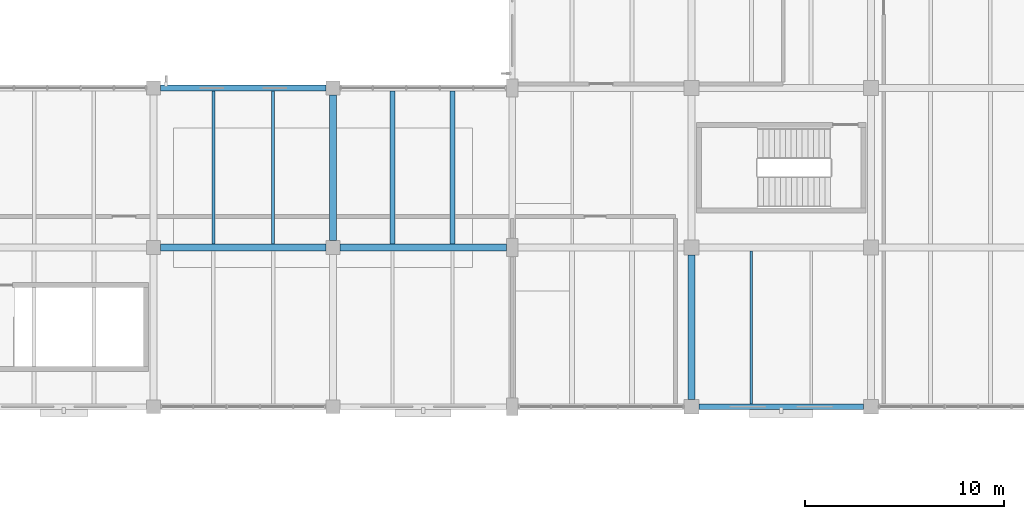
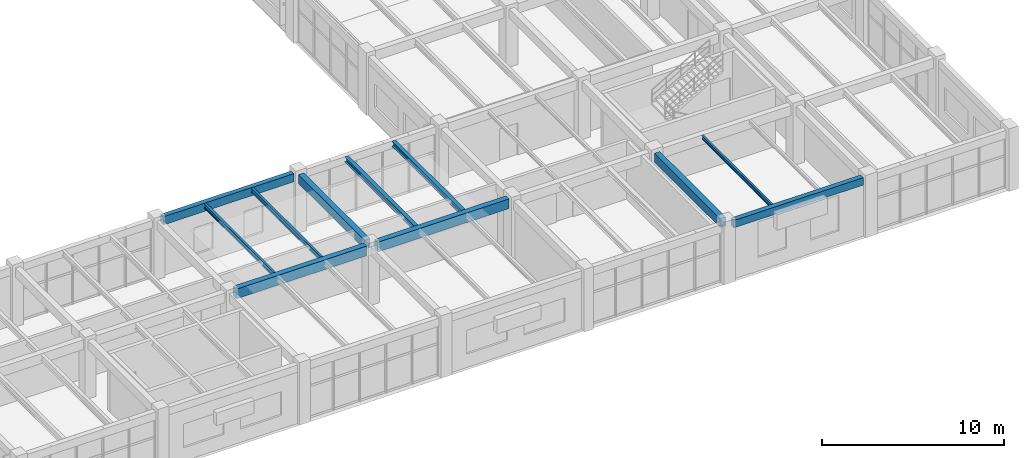
# One storey, part 68 of 128: 11 beams.
"""IFC4 building model written with IfcOpenShell, lengths in metres."""

from ifc_helpers import new_model, si_unit, derived_unit, direction, frame, origin, origin_2d, place, context, subcontext, project, spatial, rectangle, i_section, extrude, material, material_profile, profile_set, type_object, element, save


model = new_model("IFC4")

# Units and contexts
model_context = context("Model", 3, precision=1e-05, world=origin(), true_north=direction((0.0, 1.0)))
body_context = subcontext(model_context, "Body", "Model", "MODEL_VIEW")
ifc_project = project(units=[si_unit("LENGTHUNIT", "METRE"), si_unit("AREAUNIT", "SQUARE_METRE"), si_unit("VOLUMEUNIT", "CUBIC_METRE"), si_unit("PLANEANGLEUNIT", "RADIAN"), si_unit("MASSUNIT", "GRAM", prefix="KILO"), derived_unit("THERMALTRANSMITTANCEUNIT", [(si_unit("MASSUNIT", "GRAM", prefix="KILO"), 1), (si_unit("TIMEUNIT", "SECOND"), -3), (si_unit("THERMODYNAMICTEMPERATUREUNIT", "KELVIN"), -1)])], contexts=[model_context])

# Site, building, storey
site_placement = place(None, origin())
site = spatial("IfcSite", under=ifc_project, at=site_placement, CompositionType="ELEMENT")
building_placement = place(site_placement, origin())
building = spatial("IfcBuilding", under=site, at=building_placement, Name="Zhenchuan Archway Interchange", CompositionType="ELEMENT")
storey_placement = place(building_placement, frame((0.0, 0.0, 14.39990234375)))
storey = spatial("IfcBuildingStorey", under=building, at=storey_placement, Name="L03", CompositionType="ELEMENT", Elevation=14.39990234375)

# Beams
ifc_material_1 = material(Name="Concrete C40", Category="concrete")
ifc_material_profile_1 = material_profile(ifc_material_1, rectangle(XDim=0.35009765625, YDim=0.60009765625, at=origin_2d()), Name="RC 350x600")
ifc_profile_set_1 = profile_set([ifc_material_profile_1], Name="Concrete C40")
beam_type_1 = type_object("IfcBeamType", Name="BM_RC_350x600", PredefinedType="BEAM", material=ifc_profile_set_1)
beam_1_placement = place(storey_placement, frame((135.0, 16.35009765625, 3.64013671875), z_axis=(0.0, 1.0, 0.0), x_axis=(-1.0, 0.0, 0.0)))
element("IfcBeam", 1, at=beam_1_placement, inside=storey, type_object=beam_type_1, Name="Beam 16:C-D (L03)", PredefinedType="BEAM", context=body_context, shape_type="SweptSolid", body=[
    extrude(rectangle(XDim=0.35009765625, YDim=0.60009765625, at=origin_2d()), origin(), (0.0, 0.0, 1.0), 7.2998046875),
])
beam_2_placement = place(storey_placement, frame((153.0, 8.375, 3.630126953125), z_axis=(0.0, 1.0, 0.0), x_axis=(-1.0, 0.0, 0.0)))
element("IfcBeam", 2, at=beam_2_placement, inside=storey, type_object=beam_type_1, Name="Beam 18:B-C (L03)", PredefinedType="BEAM", context=body_context, shape_type="SweptSolid", body=[
    extrude(rectangle(XDim=0.35009765625, YDim=0.60009765625, at=origin_2d()), origin(), (0.0, 0.0, 1.0), 7.25),
])
ifc_material_profile_2 = material_profile(ifc_material_1, rectangle(XDim=0.35009765625, YDim=0.64990234375, at=origin_2d()), Name="RC 350x650")
ifc_profile_set_2 = profile_set([ifc_material_profile_2], Name="Concrete C40")
beam_type_2 = type_object("IfcBeamType", Name="BM_RC_350x650", PredefinedType="BEAM", material=ifc_profile_set_2)
beam_3_placement = place(storey_placement, frame((126.35009765625, 16.0, 3.614990234375), z_axis=(1.0, 0.0, 0.0), x_axis=(0.0, 1.0, 0.0)))
element("IfcBeam", 3, at=beam_3_placement, inside=storey, type_object=beam_type_2, Name="Beam C:15-16 (L03)", PredefinedType="BEAM", context=body_context, shape_type="SweptSolid", body=[
    extrude(rectangle(XDim=0.35009765625, YDim=0.64990234375, at=origin_2d()), origin(), (0.0, 0.0, 1.0), 8.2998046875),
])
beam_4_placement = place(storey_placement, frame((135.35009765625, 16.0, 3.614990234375), z_axis=(1.0, 0.0, 0.0), x_axis=(0.0, 1.0, 0.0)))
element("IfcBeam", 4, at=beam_4_placement, inside=storey, type_object=beam_type_2, Name="Beam C:16-17 (L03)", PredefinedType="BEAM", context=body_context, shape_type="SweptSolid", body=[
    extrude(rectangle(XDim=0.35009765625, YDim=0.64990234375, at=origin_2d()), origin(), (0.0, 0.0, 1.0), 8.349853515625),
])
ifc_material_2 = material(Name="Steel Q355", Category="steel")
ifc_material_profile_3 = material_profile(ifc_material_2, i_section(OverallWidth=0.25, OverallDepth=0.340087890625, WebThickness=0.009033203125, FlangeThickness=0.013916015625, FilletRadius=0.01806640625, at=origin_2d()), Name="HM 340x250")
ifc_profile_set_3 = profile_set([ifc_material_profile_3], Name="Steel Q355")
beam_type_3 = type_object("IfcBeamType", Name="JST_STL_HM340", PredefinedType="JOIST", material=ifc_profile_set_3)
for number, where, z_axis, x_axis, name in (
    (5, (138.0, 16.175048828125, 3.77001953125), (0.0, 1.0, 0.0), (-1.0, 0.0, 0.0), "Secondary joist 16-17/C-D #1 (L03)"),
    (6, (141.0, 16.175048828125, 3.77001953125), (0.0, 1.0, 0.0), (-1.0, 0.0, 0.0), "Secondary joist 16-17/C-D #2 (L03)"),
):
    element("IfcBeam", number, at=place(storey_placement, frame(where, z_axis=z_axis, x_axis=x_axis)), inside=storey, type_object=beam_type_3, Name=name, PredefinedType="JOIST", context=body_context, shape_type="SweptSolid", body=[
        extrude(i_section(OverallWidth=0.25, OverallDepth=0.340087890625, WebThickness=0.009033203125, FlangeThickness=0.013916015625, FilletRadius=0.01806640625, at=origin_2d()), origin(), (0.0, 0.0, 1.0), 7.675048828125),
    ])
ifc_material_profile_4 = material_profile(ifc_material_2, i_section(OverallWidth=0.125, OverallDepth=0.25, WebThickness=0.006103515625, FlangeThickness=0.009033203125, FilletRadius=0.011962890625, at=origin_2d()), Name="HN 250x125")
ifc_profile_set_4 = profile_set([ifc_material_profile_4], Name="Steel Q355")
beam_type_4 = type_object("IfcBeamType", Name="JST_STL_HN250", PredefinedType="JOIST", material=ifc_profile_set_4)
beam_5_placement = place(storey_placement, frame((156.0, 8.14990234375, 3.80517578125), z_axis=(0.0, 1.0, 0.0), x_axis=(-1.0, 0.0, 0.0)))
element("IfcBeam", 7, at=beam_5_placement, inside=storey, type_object=beam_type_4, Name="Secondary joist 18-19/B-C #1 (L03)", PredefinedType="JOIST", context=body_context, shape_type="SweptSolid", body=[
    extrude(i_section(OverallWidth=0.125, OverallDepth=0.25, WebThickness=0.006103515625, FlangeThickness=0.009033203125, FilletRadius=0.011962890625, at=origin_2d()), origin(), (0.0, 0.0, 1.0), 7.675048828125),
])
ifc_material_profile_5 = material_profile(ifc_material_2, i_section(OverallWidth=0.14990234375, OverallDepth=0.300048828125, WebThickness=0.006591796875, FlangeThickness=0.009033203125, FilletRadius=0.012939453125, at=origin_2d()), Name="HN 300x150")
ifc_profile_set_5 = profile_set([ifc_material_profile_5], Name="Steel Q355")
beam_type_5 = type_object("IfcBeamType", Name="JST_STL_HN300", PredefinedType="JOIST", material=ifc_profile_set_5)
for number, where, z_axis, x_axis, name in (
    (8, (129.0, 16.175048828125, 3.7900390625), (0.0, 1.0, 0.0), (-1.0, 0.0, 0.0), "Secondary joist 15-16/C-D #1 (L03)"),
    (9, (132.0, 16.175048828125, 3.7900390625), (0.0, 1.0, 0.0), (-1.0, 0.0, 0.0), "Secondary joist 15-16/C-D #2 (L03)"),
):
    element("IfcBeam", number, at=place(storey_placement, frame(where, z_axis=z_axis, x_axis=x_axis)), inside=storey, type_object=beam_type_5, Name=name, PredefinedType="JOIST", context=body_context, shape_type="SweptSolid", body=[
        extrude(i_section(OverallWidth=0.14990234375, OverallDepth=0.300048828125, WebThickness=0.006591796875, FlangeThickness=0.009033203125, FilletRadius=0.012939453125, at=origin_2d()), origin(), (0.0, 0.0, 1.0), 7.675048828125),
    ])
ifc_material_profile_6 = material_profile(ifc_material_1, rectangle(XDim=0.300048828125, YDim=0.5, at=origin_2d()), Name="RC 300x500")
ifc_profile_set_6 = profile_set([ifc_material_profile_6], Name="Concrete C40")
beam_type_6 = type_object("IfcBeamType", Name="SP_RC_300x500", PredefinedType="SPANDREL", material=ifc_profile_set_6)
beam_6_placement = place(storey_placement, frame((153.375, 8.0, 3.68017578125), z_axis=(1.0, 0.0, 0.0), x_axis=(0.0, 1.0, 0.0)))
element("IfcBeam", 10, at=beam_6_placement, inside=storey, type_object=beam_type_6, Name="Beam B:18-19 (L03)", PredefinedType="SPANDREL", context=body_context, shape_type="SweptSolid", body=[
    extrude(rectangle(XDim=0.300048828125, YDim=0.5, at=origin_2d()), origin(), (0.0, 0.0, 1.0), 8.25),
])
ifc_material_profile_7 = material_profile(ifc_material_1, rectangle(XDim=0.300048828125, YDim=0.550048828125, at=origin_2d()), Name="RC 300x550")
ifc_profile_set_7 = profile_set([ifc_material_profile_7], Name="Concrete C40")
beam_type_7 = type_object("IfcBeamType", Name="SP_RC_300x550", PredefinedType="SPANDREL", material=ifc_profile_set_7)
beam_7_placement = place(storey_placement, frame((126.35009765625, 24.0, 3.6650390625), z_axis=(1.0, 0.0, 0.0), x_axis=(0.0, 1.0, 0.0)))
element("IfcBeam", 11, at=beam_7_placement, inside=storey, type_object=beam_type_7, Name="Beam D:15-16 (L03)", PredefinedType="SPANDREL", context=body_context, shape_type="SweptSolid", body=[
    extrude(rectangle(XDim=0.300048828125, YDim=0.550048828125, at=origin_2d()), origin(), (0.0, 0.0, 1.0), 8.2998046875),
])

save(model, "model.ifc")
